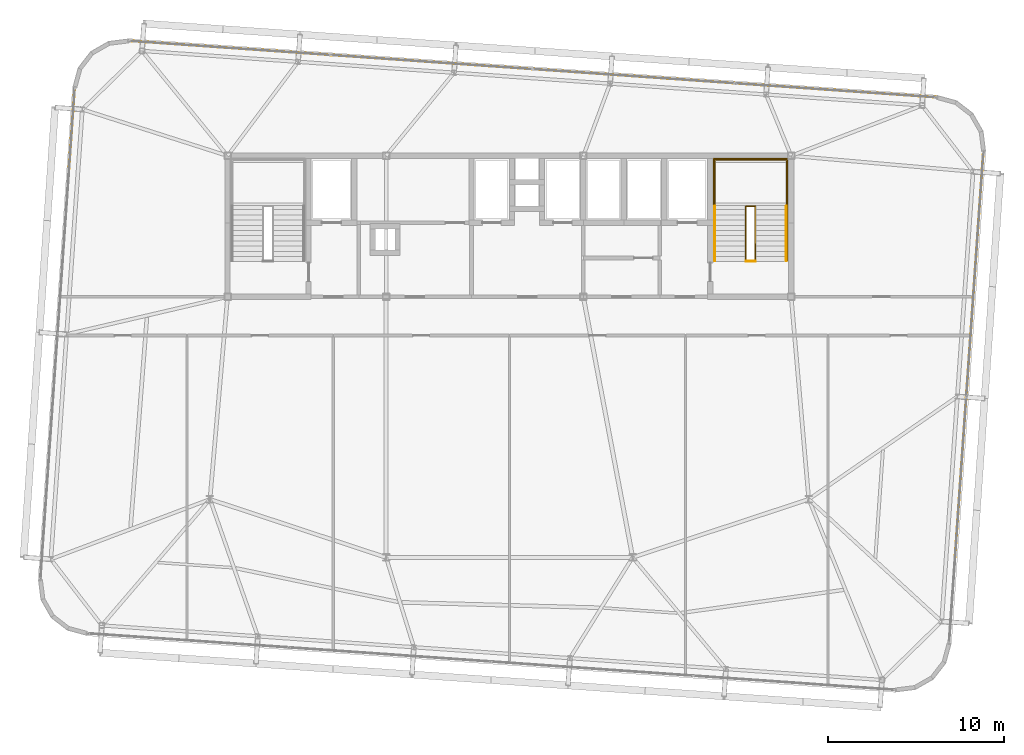
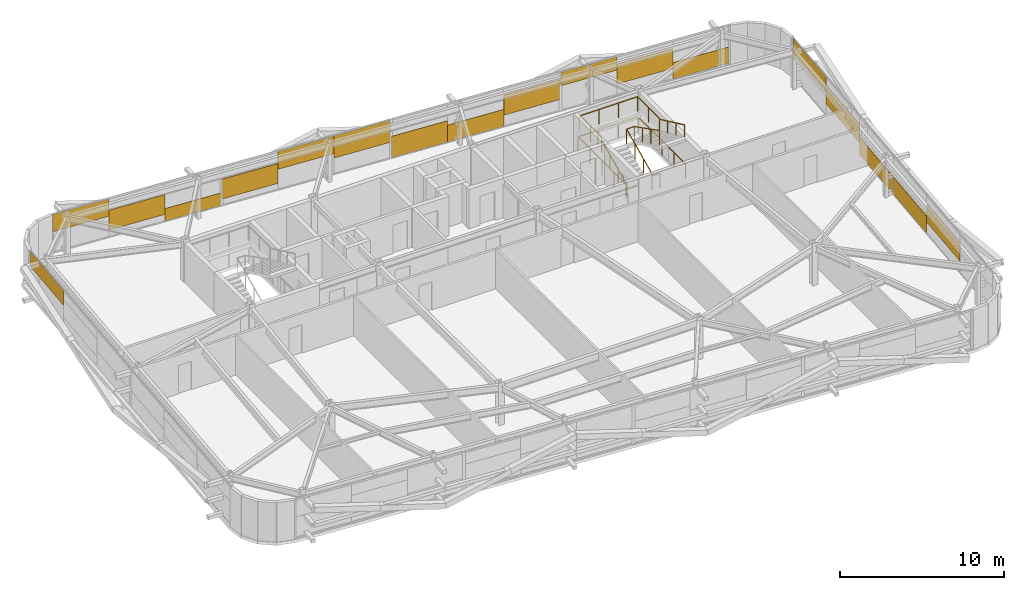
# One storey, part 39 of 39: 18 coverings, 6 railings.
"""IFC4 building model written with IfcOpenShell, lengths in metres."""

from ifc_helpers import new_model, si_unit, direction, frame, origin, origin_2d, place, context, subcontext, project, spatial, rectangle, extrude, source, transform, mapped, material, layer, layer_set, type_object, element, save


model = new_model("IFC4")

# Units and contexts
model_context = context("Model", 3, precision=1e-05, world=origin(), true_north=direction((0.0, 1.0)))
body_context = subcontext(model_context, "Body", "Model", "MODEL_VIEW")
ifc_project = project(units=[si_unit("LENGTHUNIT", "METRE"), si_unit("AREAUNIT", "SQUARE_METRE"), si_unit("VOLUMEUNIT", "CUBIC_METRE"), si_unit("PLANEANGLEUNIT", "RADIAN"), si_unit("MASSUNIT", "GRAM", prefix="KILO")], contexts=[model_context])

# Site, building, storey
site_placement = place(None, origin())
site = spatial("IfcSite", under=ifc_project, at=site_placement, CompositionType="ELEMENT")
building_placement = place(site_placement, origin())
building = spatial("IfcBuilding", under=site, at=building_placement, Name="Taldren Reach Tower", CompositionType="ELEMENT")
storey_placement = place(building_placement, frame((0.0, 0.0, 148.75)))
storey = spatial("IfcBuildingStorey", under=building, at=storey_placement, Name="L45", CompositionType="ELEMENT", Elevation=148.75)

# Railings
ifc_material_1 = material(Name="Steel Gr 350 (C350L0)", Category="steel")
ifc_layer_1 = layer(ifc_material_1, 0.050048828125)
ifc_layer_set_1 = layer_set([ifc_layer_1], Name="Steel Gr 350 (C350L0)")
railing_type_1 = type_object("IfcRailingType", Name="RL-STAIR-GR", PredefinedType="GUARDRAIL", material=ifc_layer_set_1)
railing_1_placement = place(storey_placement, frame((46.659912109375, 29.135009765625, 1.574951171875)))
element("IfcRailing", 1, at=railing_1_placement, inside=storey, type_object=railing_type_1, Name="Stair half-landing perimeter guard ST2-L45", PredefinedType="GUARDRAIL", context=body_context, shape_type="SweptSolid", body=[
    extrude(rectangle(XDim=0.047852, YDim=0.047852, at=origin_2d()), frame((0.0, 0.0, 1.09619140625), z_axis=(0.0, 1.0, 0.0), x_axis=(-1.0, 0.0, 0.0)), (0.0, 0.0, 1.0), 2.64501953125),
    extrude(rectangle(XDim=0.047852, YDim=0.047852, at=origin_2d()), frame((0.0, 2.64501953125, 1.09619140625), z_axis=(1.0, 0.0, 0.0), x_axis=(0.0, 1.0, 0.0)), (0.0, 0.0, 1.0), 4.080078125),
    extrude(rectangle(XDim=0.047852, YDim=0.047852, at=origin_2d()), frame((4.080078125, 2.64501953125, 1.09619140625), z_axis=(0.0, -1.0, 0.0), x_axis=(1.0, 0.0, 0.0)), (0.0, 0.0, 1.0), 2.64501953125),
    extrude(rectangle(XDim=0.041992, YDim=0.041992, at=origin_2d()), origin(), (0.0, 0.0, 1.0), 1.072021484375),
    extrude(rectangle(XDim=0.041992, YDim=0.041992, at=origin_2d()), frame((0.0, 1.322509765625, 0.0)), (0.0, 0.0, 1.0), 1.072021484375),
    extrude(rectangle(XDim=0.041992, YDim=0.041992, at=origin_2d()), frame((0.0, 2.64501953125, 0.0)), (0.0, 0.0, 1.0), 1.072021484375),
    extrude(rectangle(XDim=0.041992, YDim=0.041992, at=origin_2d()), frame((1.360107421875, 2.64501953125, 0.0)), (0.0, 0.0, 1.0), 1.072021484375),
    extrude(rectangle(XDim=0.041992, YDim=0.041992, at=origin_2d()), frame((2.719970703125, 2.64501953125, 0.0)), (0.0, 0.0, 1.0), 1.072021484375),
    extrude(rectangle(XDim=0.041992, YDim=0.041992, at=origin_2d()), frame((4.080078125, 2.64501953125, 0.0)), (0.0, 0.0, 1.0), 1.072021484375),
    extrude(rectangle(XDim=0.041992, YDim=0.041992, at=origin_2d()), frame((4.080078125, 1.322509765625, 0.0)), (0.0, 0.0, 1.0), 1.072021484375),
    extrude(rectangle(XDim=0.041992, YDim=0.041992, at=origin_2d()), frame((4.080078125, 0.0, 0.0)), (0.0, 0.0, 1.0), 1.072021484375),
])
railing_2_placement = place(storey_placement, frame((48.429931640625, 26.050048828125, 0.131103515625)))
element("IfcRailing", 2, at=railing_2_placement, inside=storey, type_object=railing_type_1, Name="Stairwell inner guard ST2-L45", PredefinedType="GUARDRAIL", context=body_context, shape_type="SweptSolid", body=[
    extrude(rectangle(XDim=0.047852, YDim=0.047852, at=origin_2d()), frame((0.0, 0.0, 1.09619140625), z_axis=(0.0, 0.905710134349, 0.423897573167), x_axis=(-1.0, 0.0, 0.0)), (0.0, 0.0, 1.0), 3.406005859375),
    extrude(rectangle(XDim=0.047852, YDim=0.047852, at=origin_2d()), frame((0.0, 3.0849609375, 2.5400390625), z_axis=(1.0, 0.0, 0.0), x_axis=(0.0, 1.0, 0.0)), (0.0, 0.0, 1.0), 0.5400390625),
    extrude(rectangle(XDim=0.047852, YDim=0.047852, at=origin_2d()), frame((0.5400390625, 3.0849609375, 2.5400390625), z_axis=(0.0, -0.890645957773, 0.45469745755), x_axis=(1.0, 0.0, 0.0)), (0.0, 0.0, 1.0), 3.463623046875),
    extrude(rectangle(XDim=0.041992, YDim=0.041992, at=origin_2d()), origin(), (0.0, 0.0, 1.0), 1.072021484375),
    extrude(rectangle(XDim=0.041992, YDim=0.041992, at=origin_2d()), frame((0.0, 1.0283203125, 0.481201171875)), (0.0, 0.0, 1.0), 1.072021484375),
    extrude(rectangle(XDim=0.041992, YDim=0.041992, at=origin_2d()), frame((0.0, 2.056640625, 0.962646484375)), (0.0, 0.0, 1.0), 1.072021484375),
    extrude(rectangle(XDim=0.041992, YDim=0.041992, at=origin_2d()), frame((0.0, 3.0849609375, 1.44384765625)), (0.0, 0.0, 1.0), 1.072021484375),
    extrude(rectangle(XDim=0.041992, YDim=0.041992, at=origin_2d()), frame((0.5400390625, 3.0849609375, 1.44384765625)), (0.0, 0.0, 1.0), 1.072021484375),
    extrude(rectangle(XDim=0.041992, YDim=0.041992, at=origin_2d()), frame((0.5400390625, 2.056640625, 1.96875)), (0.0, 0.0, 1.0), 1.072021484375),
    extrude(rectangle(XDim=0.041992, YDim=0.041992, at=origin_2d()), frame((0.5400390625, 1.0283203125, 2.493896484375)), (0.0, 0.0, 1.0), 1.072021484375),
    extrude(rectangle(XDim=0.041992, YDim=0.041992, at=origin_2d()), frame((0.5400390625, 0.0, 3.018798828125)), (0.0, 0.0, 1.0), 1.072021484375),
])
railing_3_placement = place(storey_placement, frame((48.429931640625, 26.010009765625, 0.0)))
element("IfcRailing", 3, at=railing_3_placement, inside=storey, type_object=railing_type_1, Name="Stairwell landing slot guard ST2-L45", PredefinedType="GUARDRAIL", context=body_context, shape_type="SweptSolid", body=[
    extrude(rectangle(XDim=0.047852, YDim=0.047852, at=origin_2d()), frame((0.0, 0.0, 1.09619140625), z_axis=(1.0, 0.0, 0.0), x_axis=(0.0, 1.0, 0.0)), (0.0, 0.0, 1.0), 0.5400390625),
    extrude(rectangle(XDim=0.041992, YDim=0.041992, at=origin_2d()), origin(), (0.0, 0.0, 1.0), 1.072021484375),
    extrude(rectangle(XDim=0.041992, YDim=0.041992, at=origin_2d()), frame((0.5400390625, 0.0, 0.0)), (0.0, 0.0, 1.0), 1.072021484375),
])
railing_4_placement = place(storey_placement, frame((46.590087890625, 26.050048828125, 0.0)))
element("IfcRailing", 4, at=railing_4_placement, inside=storey, type_object=railing_type_1, Name="Stairwell floor opening guard ST2-L45", PredefinedType="GUARDRAIL", context=body_context, shape_type="SweptSolid", body=[
    extrude(rectangle(XDim=0.047852, YDim=0.047852, at=origin_2d()), frame((0.0, 0.0, 1.09619140625), z_axis=(0.0, 1.0, 0.0), x_axis=(-1.0, 0.0, 0.0)), (0.0, 0.0, 1.0), 5.800048828125),
    extrude(rectangle(XDim=0.047852, YDim=0.047852, at=origin_2d()), frame((0.0, 5.800048828125, 1.09619140625), z_axis=(1.0, 0.0, 0.0), x_axis=(0.0, 1.0, 0.0)), (0.0, 0.0, 1.0), 4.219970703125),
    extrude(rectangle(XDim=0.047852, YDim=0.047852, at=origin_2d()), frame((4.219970703125, 5.800048828125, 1.09619140625), z_axis=(0.0, -1.0, 0.0), x_axis=(1.0, 0.0, 0.0)), (0.0, 0.0, 1.0), 5.800048828125),
    extrude(rectangle(XDim=0.041992, YDim=0.041992, at=origin_2d()), origin(), (0.0, 0.0, 1.0), 1.072021484375),
    extrude(rectangle(XDim=0.041992, YDim=0.041992, at=origin_2d()), frame((0.0, 1.449951171875, 0.0)), (0.0, 0.0, 1.0), 1.072021484375),
    extrude(rectangle(XDim=0.041992, YDim=0.041992, at=origin_2d()), frame((0.0, 2.89990234375, 0.0)), (0.0, 0.0, 1.0), 1.072021484375),
    extrude(rectangle(XDim=0.041992, YDim=0.041992, at=origin_2d()), frame((0.0, 4.35009765625, 0.0)), (0.0, 0.0, 1.0), 1.072021484375),
    extrude(rectangle(XDim=0.041992, YDim=0.041992, at=origin_2d()), frame((0.0, 5.800048828125, 0.0)), (0.0, 0.0, 1.0), 1.072021484375),
    extrude(rectangle(XDim=0.041992, YDim=0.041992, at=origin_2d()), frame((1.40673828125, 5.800048828125, 0.0)), (0.0, 0.0, 1.0), 1.072021484375),
    extrude(rectangle(XDim=0.041992, YDim=0.041992, at=origin_2d()), frame((2.813232421875, 5.800048828125, 0.0)), (0.0, 0.0, 1.0), 1.072021484375),
    extrude(rectangle(XDim=0.041992, YDim=0.041992, at=origin_2d()), frame((4.219970703125, 5.800048828125, 0.0)), (0.0, 0.0, 1.0), 1.072021484375),
    extrude(rectangle(XDim=0.041992, YDim=0.041992, at=origin_2d()), frame((4.219970703125, 4.35009765625, 0.0)), (0.0, 0.0, 1.0), 1.072021484375),
    extrude(rectangle(XDim=0.041992, YDim=0.041992, at=origin_2d()), frame((4.219970703125, 2.89990234375, 0.0)), (0.0, 0.0, 1.0), 1.072021484375),
    extrude(rectangle(XDim=0.041992, YDim=0.041992, at=origin_2d()), frame((4.219970703125, 1.449951171875, 0.0)), (0.0, 0.0, 1.0), 1.072021484375),
    extrude(rectangle(XDim=0.041992, YDim=0.041992, at=origin_2d()), frame((4.219970703125, 0.0, 0.0)), (0.0, 0.0, 1.0), 1.072021484375),
])
ifc_material_2 = material(Name="Stainless Steel Gr 316", Category="steel")
ifc_layer_2 = layer(ifc_material_2, 0.048095703125)
ifc_layer_set_2 = layer_set([ifc_layer_2], Name="Stainless Steel Gr 316")
railing_type_2 = type_object("IfcRailingType", Name="RL-STAIR-HR", PredefinedType="HANDRAIL", material=ifc_layer_set_2)
railing_5_placement = place(storey_placement, frame((46.669921875, 26.050048828125, 0.131103515625)))
element("IfcRailing", 5, at=railing_5_placement, inside=storey, type_object=railing_type_2, Name="Stair flight handrail ST2-L45-1", PredefinedType="HANDRAIL", context=body_context, shape_type="SweptSolid", body=[
    extrude(rectangle(XDim=0.047852, YDim=0.047852, at=origin_2d()), frame((0.0, 0.0, 0.89599609375), z_axis=(0.0, 0.905710134349, 0.423897573167), x_axis=(-1.0, 0.0, 0.0)), (0.0, 0.0, 1.0), 3.406005859375),
    extrude(rectangle(XDim=0.041992, YDim=0.041992, at=origin_2d()), origin(), (0.0, 0.0, 1.0), 0.871826171875),
    extrude(rectangle(XDim=0.041992, YDim=0.041992, at=origin_2d()), frame((0.0, 1.0283203125, 0.481201171875)), (0.0, 0.0, 1.0), 0.871826171875),
    extrude(rectangle(XDim=0.041992, YDim=0.041992, at=origin_2d()), frame((0.0, 2.056640625, 0.962646484375)), (0.0, 0.0, 1.0), 0.871826171875),
    extrude(rectangle(XDim=0.041992, YDim=0.041992, at=origin_2d()), frame((0.0, 3.0849609375, 1.44384765625)), (0.0, 0.0, 1.0), 0.871826171875),
])
railing_6_placement = place(storey_placement, frame((50.72998046875, 29.135009765625, 1.706298828125)))
element("IfcRailing", 6, at=railing_6_placement, inside=storey, type_object=railing_type_2, Name="Stair flight handrail ST2-L45-2", PredefinedType="HANDRAIL", context=body_context, shape_type="SweptSolid", body=[
    extrude(rectangle(XDim=0.047852, YDim=0.047852, at=origin_2d()), frame((0.0, 0.0, 0.89599609375), z_axis=(0.0, -0.905737652094, 0.423838773095), x_axis=(1.0, 0.0, 0.0)), (0.0, 0.0, 1.0), 3.406005859375),
    extrude(rectangle(XDim=0.041992, YDim=0.041992, at=origin_2d()), origin(), (0.0, 0.0, 1.0), 0.871826171875),
    extrude(rectangle(XDim=0.041992, YDim=0.041992, at=origin_2d()), frame((0.0, -1.0283203125, 0.481201171875)), (0.0, 0.0, 1.0), 0.871826171875),
    extrude(rectangle(XDim=0.041992, YDim=0.041992, at=origin_2d()), frame((0.0, -2.056640625, 0.96240234375)), (0.0, 0.0, 1.0), 0.871826171875),
    extrude(rectangle(XDim=0.041992, YDim=0.041992, at=origin_2d()), frame((0.0, -3.0849609375, 1.443603515625)), (0.0, 0.0, 1.0), 0.871826171875),
])

# Coverings
ifc_material_3 = material(Name="Pale Champagne Fluoropolymer Aluminium Spandrel Cladding", Category="aluminium")
ifc_layer_3 = layer(ifc_material_3, 0.0439453125)
ifc_layer_set_3 = layer_set([ifc_layer_3], Name="Pale Champagne Fluoropolymer Aluminium Spandrel Cladding")
covering_type = type_object("IfcCoveringType", Name="CV-CLAD-044", PredefinedType="CLADDING", material=ifc_layer_set_3)
shared_shape_1 = source(origin(), body_context, "Body", "SweptSolid", [
    extrude(rectangle(XDim=3.79833984375, YDim=0.0439453125, at=origin_2d()), origin(), (0.0, 0.0, 1.0), 1.22216796875),
])
covering_1_placement = place(storey_placement, frame((57.3056640625, 35.451904296875, 0.054931640625), z_axis=(0.0, 0.0, 1.0), x_axis=(-0.99756404731, 0.06975651593, 0.0)))
element("IfcCovering", 7, at=covering_1_placement, inside=storey, type_object=covering_type, Name="Diagrid closure cladding strip CW-4 panel 1.1 1", PredefinedType="CLADDING", context=body_context, shape_type="MappedRepresentation", body=[
    mapped(shared_shape_1, transform((0.0, 0.0, 0.0), scale=1.0)),
])
shared_shape_2 = source(origin(), body_context, "Body", "SweptSolid", [
    extrude(rectangle(XDim=3.79833984375, YDim=0.0439453125, at=origin_2d()), origin(), (0.0, 0.0, 1.0), 1.474365234375),
])
for number, where, z_axis, x_axis, name in (
    (8, (53.5166015625, 35.716796875, 0.84228515625), (0.0, 0.0, 1.0), (-0.99756404731, 0.06975651593, 0.0), "Diagrid closure cladding strip CW-4 panel 1.1 2"),
    (9, (19.135498046875, 38.12109375, 0.5537109375), (0.0, 0.0, 1.0), (-0.99756404731, 0.06975651593, 0.0), "Diagrid closure cladding strip CW-4 panel 4.1 2"),
):
    element("IfcCovering", number, at=place(storey_placement, frame(where, z_axis=z_axis, x_axis=x_axis)), inside=storey, type_object=covering_type, Name=name, PredefinedType="CLADDING", context=body_context, shape_type="MappedRepresentation", body=[
        mapped(shared_shape_2, transform((0.0, 0.0, 0.0), scale=1.0)),
    ])
shared_shape_3 = source(origin(), body_context, "Body", "SweptSolid", [
    extrude(rectangle(XDim=3.79833984375, YDim=0.0439453125, at=origin_2d()), origin(), (0.0, 0.0, 1.0), 0.993408203125),
])
covering_2_placement = place(storey_placement, frame((49.7275390625, 35.981689453125, 1.88134765625), z_axis=(0.0, 0.0, 1.0), x_axis=(-0.99756404731, 0.06975651593, 0.0)))
element("IfcCovering", 10, at=covering_2_placement, inside=storey, type_object=covering_type, Name="Diagrid closure cladding strip CW-4 panel 1.1 3", PredefinedType="CLADDING", context=body_context, shape_type="MappedRepresentation", body=[
    mapped(shared_shape_3, transform((0.0, 0.0, 0.0), scale=1.0)),
])
shared_shape_4 = source(origin(), body_context, "Body", "SweptSolid", [
    extrude(rectangle(XDim=3.81005859375, YDim=0.0439453125, at=origin_2d()), origin(), (0.0, 0.0, 1.0), 1.477783203125),
])
for number, where, z_axis, x_axis, name in (
    (11, (45.86279296875, 36.251953125, 0.88232421875), (0.0, 0.0, 1.0), (-0.99756404731, 0.06975651593, 0.0), "Diagrid closure cladding strip CW-4 panel 2.1 1"),
    (12, (26.789306640625, 37.585693359375, 0.51025390625), (0.0, 0.0, 1.0), (-0.99756404731, 0.06975651593, 0.0), "Diagrid closure cladding strip CW-4 panel 3.1 3"),
):
    element("IfcCovering", number, at=place(storey_placement, frame(where, z_axis=z_axis, x_axis=x_axis)), inside=storey, type_object=covering_type, Name=name, PredefinedType="CLADDING", context=body_context, shape_type="MappedRepresentation", body=[
        mapped(shared_shape_4, transform((0.0, 0.0, 0.0), scale=1.0)),
    ])
shared_shape_5 = source(origin(), body_context, "Body", "SweptSolid", [
    extrude(rectangle(XDim=3.81005859375, YDim=0.0439453125, at=origin_2d()), origin(), (0.0, 0.0, 1.0), 1.26220703125),
])
covering_3_placement = place(storey_placement, frame((42.06201171875, 36.517822265625, 0.05517578125), z_axis=(0.0, 0.0, 1.0), x_axis=(-0.99756404731, 0.06975651593, 0.0)))
element("IfcCovering", 13, at=covering_3_placement, inside=storey, type_object=covering_type, Name="Diagrid closure cladding strip CW-4 panel 2.1 2", PredefinedType="CLADDING", context=body_context, shape_type="MappedRepresentation", body=[
    mapped(shared_shape_5, transform((0.0, 0.0, 0.0), scale=1.0)),
])
shared_shape_6 = source(origin(), body_context, "Body", "SweptSolid", [
    extrude(rectangle(XDim=3.81005859375, YDim=0.0439453125, at=origin_2d()), origin(), (0.0, 0.0, 1.0), 1.587890625),
])
covering_4_placement = place(storey_placement, frame((38.261474609375, 36.78369140625, 0.054931640625), z_axis=(0.0, 0.0, 1.0), x_axis=(-0.99756404731, 0.06975651593, 0.0)))
element("IfcCovering", 14, at=covering_4_placement, inside=storey, type_object=covering_type, Name="Diagrid closure cladding strip CW-4 panel 2.1 3", PredefinedType="CLADDING", context=body_context, shape_type="MappedRepresentation", body=[
    mapped(shared_shape_6, transform((0.0, 0.0, 0.0), scale=1.0)),
])
shared_shape_7 = source(origin(), body_context, "Body", "SweptSolid", [
    extrude(rectangle(XDim=3.81005859375, YDim=0.0439453125, at=origin_2d()), origin(), (0.0, 0.0, 1.0), 1.64794921875),
])
covering_5_placement = place(storey_placement, frame((34.390869140625, 37.05419921875, 1.22705078125), z_axis=(0.0, 0.0, 1.0), x_axis=(-0.99756404731, 0.06975651593, 0.0)))
element("IfcCovering", 15, at=covering_5_placement, inside=storey, type_object=covering_type, Name="Diagrid closure cladding strip CW-4 panel 3.1 1", PredefinedType="CLADDING", context=body_context, shape_type="MappedRepresentation", body=[
    mapped(shared_shape_7, transform((0.0, 0.0, 0.0), scale=1.0)),
])
shared_shape_8 = source(origin(), body_context, "Body", "SweptSolid", [
    extrude(rectangle(XDim=3.81005859375, YDim=0.0439453125, at=origin_2d()), origin(), (0.0, 0.0, 1.0), 1.322265625),
])
covering_6_placement = place(storey_placement, frame((30.590087890625, 37.320068359375, 1.552734375), z_axis=(0.0, 0.0, 1.0), x_axis=(-0.99756404731, 0.06975651593, 0.0)))
element("IfcCovering", 16, at=covering_6_placement, inside=storey, type_object=covering_type, Name="Diagrid closure cladding strip CW-4 panel 3.1 2", PredefinedType="CLADDING", context=body_context, shape_type="MappedRepresentation", body=[
    mapped(shared_shape_8, transform((0.0, 0.0, 0.0), scale=1.0)),
])
shared_shape_9 = source(origin(), body_context, "Body", "SweptSolid", [
    extrude(rectangle(XDim=3.79833984375, YDim=0.0439453125, at=origin_2d()), origin(), (0.0, 0.0, 1.0), 0.93359375),
])
covering_7_placement = place(storey_placement, frame((22.924560546875, 37.85595703125, 0.054931640625), z_axis=(0.0, 0.0, 1.0), x_axis=(-0.99756404731, 0.06975651593, 0.0)))
element("IfcCovering", 17, at=covering_7_placement, inside=storey, type_object=covering_type, Name="Diagrid closure cladding strip CW-4 panel 4.1 1", PredefinedType="CLADDING", context=body_context, shape_type="MappedRepresentation", body=[
    mapped(shared_shape_9, transform((0.0, 0.0, 0.0), scale=1.0)),
])
shared_shape_10 = source(origin(), body_context, "Body", "SweptSolid", [
    extrude(rectangle(XDim=3.79833984375, YDim=0.0439453125, at=origin_2d()), origin(), (0.0, 0.0, 1.0), 1.2822265625),
])
covering_8_placement = place(storey_placement, frame((15.346435546875, 38.385986328125, 1.5927734375), z_axis=(0.0, 0.0, 1.0), x_axis=(-0.99756404731, 0.06975651593, 0.0)))
element("IfcCovering", 18, at=covering_8_placement, inside=storey, type_object=covering_type, Name="Diagrid closure cladding strip CW-4 panel 4.1 3", PredefinedType="CLADDING", context=body_context, shape_type="MappedRepresentation", body=[
    mapped(shared_shape_10, transform((0.0, 0.0, 0.0), scale=1.0)),
])
shared_shape_11 = source(origin(), body_context, "Body", "SweptSolid", [
    extrude(rectangle(XDim=4.631591796875, YDim=0.0439453125, at=origin_2d()), origin(), (0.0, 0.0, 1.0), 1.306640625),
])
for number, where, z_axis, x_axis, name in (
    (19, (60.4599609375, 11.33056640625, 0.892333984375), (0.0, 0.0, 1.0), (0.069756437251, 0.997564052812, 0.0), "Diagrid closure cladding strip CW-4 panel 1.1 2"),
    (20, (61.43408203125, 25.261474609375, 0.892333984375), (0.0, 0.0, 1.0), (0.069756437251, 0.997564052812, 0.0), "Diagrid closure cladding strip CW-4 panel 2.1 2"),
):
    element("IfcCovering", number, at=place(storey_placement, frame(where, z_axis=z_axis, x_axis=x_axis)), inside=storey, type_object=covering_type, Name=name, PredefinedType="CLADDING", context=body_context, shape_type="MappedRepresentation", body=[
        mapped(shared_shape_11, transform((0.0, 0.0, 0.0), scale=1.0)),
    ])
shared_shape_12 = source(origin(), body_context, "Body", "SweptSolid", [
    extrude(rectangle(XDim=4.631591796875, YDim=0.0439453125, at=origin_2d()), origin(), (0.0, 0.0, 1.0), 1.103515625),
])
for number, where, z_axis, x_axis, name in (
    (21, (10.1630859375, 33.48974609375, 1.771484375), (0.0, 0.0, 1.0), (-0.069756437251, -0.997564052812, 0.0), "Diagrid closure cladding strip CW-4 panel 1.1 1"),
    (22, (61.757080078125, 29.882080078125, 1.771484375), (0.0, 0.0, 1.0), (0.069756437251, 0.997564052812, 0.0), "Diagrid closure cladding strip CW-4 panel 2.1 3"),
):
    element("IfcCovering", number, at=place(storey_placement, frame(where, z_axis=z_axis, x_axis=x_axis)), inside=storey, type_object=covering_type, Name=name, PredefinedType="CLADDING", context=body_context, shape_type="MappedRepresentation", body=[
        mapped(shared_shape_12, transform((0.0, 0.0, 0.0), scale=1.0)),
    ])
shared_shape_13 = source(origin(), body_context, "Body", "SweptSolid", [
    extrude(rectangle(XDim=4.631591796875, YDim=0.0439453125, at=origin_2d()), origin(), (0.0, 0.0, 1.0), 1.2646484375),
])
for number, where, z_axis, x_axis, name in (
    (23, (60.782958984375, 15.950927734375, 0.054931640625), (0.0, 0.0, 1.0), (0.069756437251, 0.997564052812, 0.0), "Diagrid closure cladding strip CW-4 panel 1.1 3"),
    (24, (61.111083984375, 20.64111328125, 0.054931640625), (0.0, 0.0, 1.0), (0.069756437251, 0.997564052812, 0.0), "Diagrid closure cladding strip CW-4 panel 2.1 1"),
):
    element("IfcCovering", number, at=place(storey_placement, frame(where, z_axis=z_axis, x_axis=x_axis)), inside=storey, type_object=covering_type, Name=name, PredefinedType="CLADDING", context=body_context, shape_type="MappedRepresentation", body=[
        mapped(shared_shape_13, transform((0.0, 0.0, 0.0), scale=1.0)),
    ])

save(model, "model.ifc")
